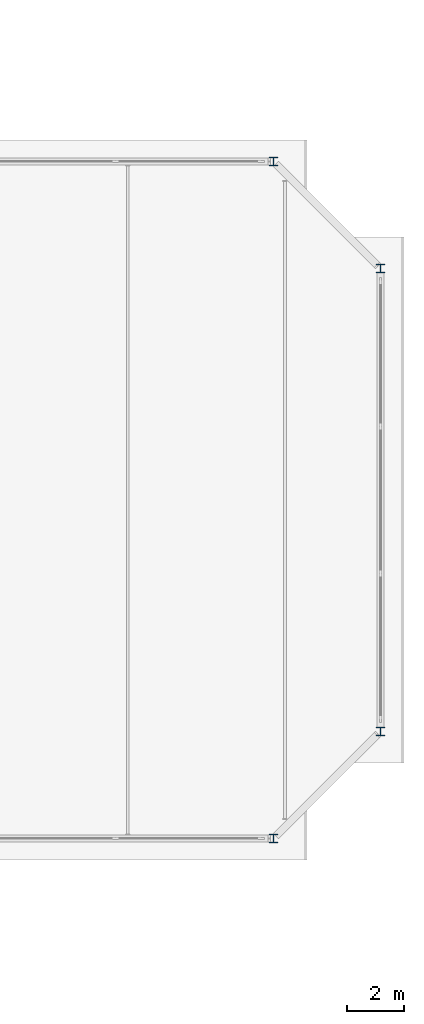
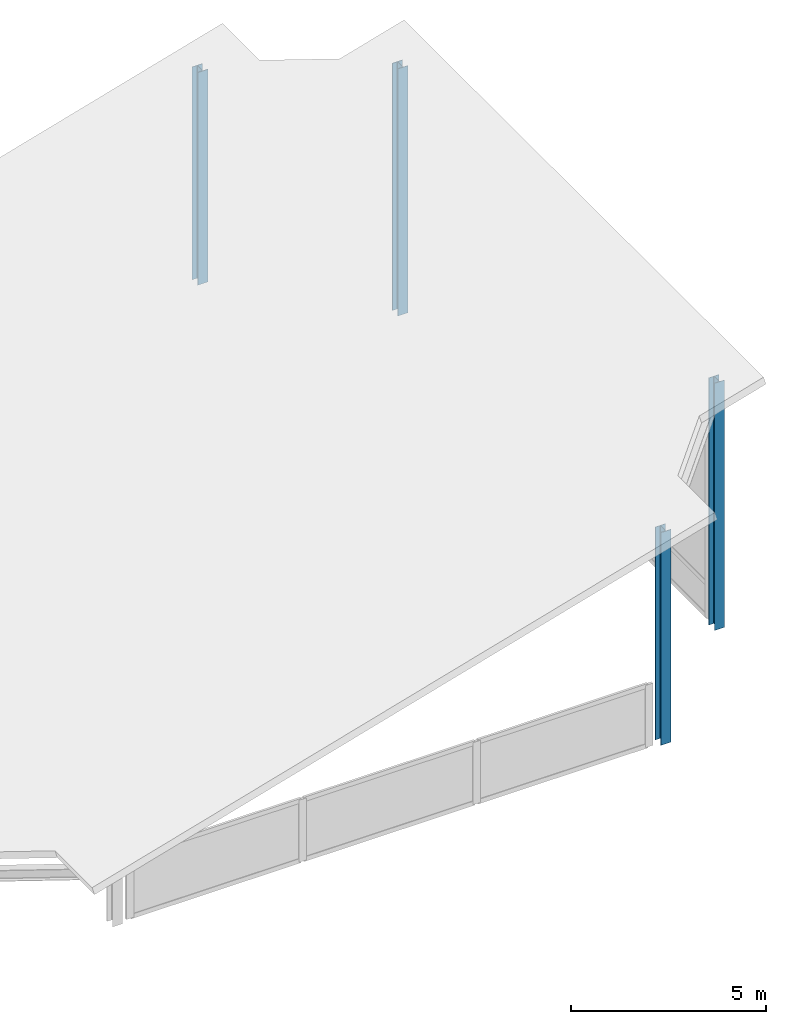
# One storey, part 4 of 28: 4 columns.
"""IFC4 building model written with IfcOpenShell, lengths in metres."""

import ifcopenshell
import ifcopenshell.guid

model = None  # the IFC model being written
_history = None  # IfcOwnerHistory: only IFC2X3 demands one
_inside = {}  # id of a spatial element -> (the spatial element, [elements in it])
_under = {}  # id of a project, library or spatial element -> (it, [spatial elements below it])
_declared = {}  # id of a project -> (the project, [libraries it declares])
_typed = {}  # id of a type object -> (the type object, [elements of that type])
_made_of = {}  # id of a material, layer set ... -> (it, [elements and type objects made of it])


def new_model(schema):
    """Start an empty IFC model of exactly this schema.

    Asked for "IFC4X3", IfcOpenShell would pick the latest addendum, in which some entities
    have other attributes; the version numbers below select the first issue.
    IFC2X3 requires an IfcOwnerHistory on every rooted entity: one is made here for all.
    """
    global model, _history
    if schema == "IFC4X3":
        model = ifcopenshell.file(schema_version=(4, 3, 0, 0))
    else:
        model = ifcopenshell.file(schema=schema)
    _inside.clear()
    _under.clear()
    _declared.clear()
    _typed.clear()
    _made_of.clear()
    _history = None
    if model.schema == "IFC2X3":
        org = make("IfcOrganization", Name="unknown")
        user = make(
            "IfcPersonAndOrganization",
            ThePerson=make("IfcPerson", FamilyName="unknown"),
            TheOrganization=org,
        )
        app = make(
            "IfcApplication",
            ApplicationDeveloper=org,
            Version="unknown",
            ApplicationFullName="unknown",
            ApplicationIdentifier="unknown",
        )
        _history = make(
            "IfcOwnerHistory",
            OwningUser=user,
            OwningApplication=app,
            ChangeAction="ADDED",
            CreationDate=0,
        )
    return model


def make(cls, **values):
    """One entity of the class cls with the attributes given. An attribute that is None is left unset."""
    return model.create_entity(
        cls, **{name: value for name, value in values.items() if value is not None}
    )


def rooted(cls, **values):
    """An entity with a GlobalId (a new one), such as an element, a storey or a relation."""
    return make(cls, GlobalId=ifcopenshell.guid.new(), OwnerHistory=_history, **values)


def si_unit(unit_type, name, prefix=None):
    """IfcSIUnit, for example si_unit("LENGTHUNIT", "METRE", prefix="MILLI")."""
    return make("IfcSIUnit", UnitType=unit_type, Prefix=prefix, Name=name)


def assignment(units):
    """IfcUnitAssignment: the units of a project."""
    return None if units is None else make("IfcUnitAssignment", Units=units)


def point(xyz):
    """IfcCartesianPoint."""
    return None if xyz is None else make("IfcCartesianPoint", Coordinates=xyz)


def direction(xyz):
    """IfcDirection."""
    return None if xyz is None else make("IfcDirection", DirectionRatios=xyz)


def frame(location, z_axis=None, x_axis=None):
    """IfcAxis2Placement3D, a coordinate frame: its origin and axes. An axis left out is left unset."""
    return make(
        "IfcAxis2Placement3D",
        Location=point(location),
        Axis=direction(z_axis),
        RefDirection=direction(x_axis),
    )


def frame_2d(location, x_axis=None):
    """IfcAxis2Placement2D, a coordinate frame in the plane: its origin and x axis."""
    return make(
        "IfcAxis2Placement2D", Location=point(location), RefDirection=direction(x_axis)
    )


def origin():
    """The frame at (0, 0, 0) with its axes left unset."""
    return frame((0.0, 0.0, 0.0))


def origin_2d():
    """The frame at (0, 0) in the plane with its x axis left unset."""
    return frame_2d((0.0, 0.0))


def place(relative_to, where):
    """IfcLocalPlacement: puts the frame where relative to a parent placement (None: the world)."""
    return make(
        "IfcLocalPlacement", PlacementRelTo=relative_to, RelativePlacement=where
    )


def context(
    kind, dimensions, precision=None, world=None, true_north=None, identifier=None
):
    """IfcGeometricRepresentationContext, for example the 3D "Model" context."""
    return make(
        "IfcGeometricRepresentationContext",
        ContextIdentifier=identifier,
        ContextType=kind,
        CoordinateSpaceDimension=dimensions,
        Precision=precision,
        WorldCoordinateSystem=world,
        TrueNorth=true_north,
    )


def subcontext(parent, identifier, kind, view, scale=None):
    """IfcGeometricRepresentationSubContext, for example "Body" below "Model"."""
    return make(
        "IfcGeometricRepresentationSubContext",
        ContextIdentifier=identifier,
        ContextType=kind,
        ParentContext=parent,
        TargetScale=scale,
        TargetView=view,
    )


def project(units=None, contexts=None):
    """IfcProject with its units and contexts."""
    return rooted(
        "IfcProject",
        Name="project",
        RepresentationContexts=contexts,
        UnitsInContext=assignment(units),
    )


def spatial(cls, under=None, at=None, **own):
    """A site, building, storey or space (cls), placed at a placement, below another one or the project."""
    s = rooted(cls, ObjectPlacement=at, **own)
    if under is not None:
        _under.setdefault(under.id(), (under, []))[1].append(s)
    return s


def profile(cls, at=None, kind="AREA", **sizes):
    """A parametric profile (cls). Its sizes go by their IFC names, for example OverallWidth=200.0."""
    return make(cls, ProfileType=kind, Position=at, **sizes)


def i_section(**sizes):
    """IfcIShapeProfileDef."""
    return profile("IfcIShapeProfileDef", **sizes)


def extrude(swept, where, along, depth):
    """IfcExtrudedAreaSolid: the profile swept, set in the frame where, extruded along a direction by depth."""
    return make(
        "IfcExtrudedAreaSolid",
        SweptArea=swept,
        Position=where,
        ExtrudedDirection=direction(along),
        Depth=depth,
    )


def shape(context_of_items, identifier, shape_type, items):
    """IfcShapeRepresentation: the items that make up one representation, for example the "Body"."""
    return make(
        "IfcShapeRepresentation",
        ContextOfItems=context_of_items,
        RepresentationIdentifier=identifier,
        RepresentationType=shape_type,
        Items=items,
    )


def source(mapping_origin, context_of_items, identifier, shape_type, items):
    """IfcRepresentationMap: a shape defined once, which mapped items show again and again."""
    return make(
        "IfcRepresentationMap",
        MappingOrigin=mapping_origin,
        MappedRepresentation=shape(context_of_items, identifier, shape_type, items),
    )


def transform(
    local_origin,
    x_axis=None,
    y_axis=None,
    z_axis=None,
    scale=None,
    scale2=None,
    scale3=None,
    uniform=True,
):
    """IfcCartesianTransformationOperator3D, or its non-uniform kind. x_axis, y_axis, z_axis: its Axis1, 2, 3."""
    if uniform:
        return make(
            "IfcCartesianTransformationOperator3D",
            Axis1=direction(x_axis),
            Axis2=direction(y_axis),
            LocalOrigin=point(local_origin),
            Scale=scale,
            Axis3=direction(z_axis),
        )
    return make(
        "IfcCartesianTransformationOperator3DnonUniform",
        Axis1=direction(x_axis),
        Axis2=direction(y_axis),
        LocalOrigin=point(local_origin),
        Scale=scale,
        Axis3=direction(z_axis),
        Scale2=scale2,
        Scale3=scale3,
    )


def mapped(mapping_source, mapping_target):
    """IfcMappedItem: shows the shape of a source again, moved by a transform."""
    return make(
        "IfcMappedItem", MappingSource=mapping_source, MappingTarget=mapping_target
    )


def material(Name=None, Category=None):
    """IfcMaterial."""
    return make("IfcMaterial", Name=Name, Category=Category)


def material_profile(
    of_material, cross_section, Name=None, Category=None, Priority=None
):
    """IfcMaterialProfile: a cross section and its material."""
    return make(
        "IfcMaterialProfile",
        Name=Name,
        Material=of_material,
        Profile=cross_section,
        Priority=Priority,
        Category=Category,
    )


def profile_set(profiles, Name=None, composite=None):
    """IfcMaterialProfileSet."""
    return make(
        "IfcMaterialProfileSet",
        Name=Name,
        MaterialProfiles=profiles,
        CompositeProfile=composite,
    )


def made_of(thing, what):
    """Note that an element or type object is made of a material, layer set ...; save() writes the relation."""
    if what is not None:
        _made_of.setdefault(what.id(), (what, []))[1].append(thing)
    return thing


def type_object(cls, material=None, **own):
    """A type object (cls), such as IfcWallType, which elements share."""
    return made_of(rooted(cls, **own), material)


def element(
    cls,
    number,
    at=None,
    inside=None,
    cuts=None,
    type_object=None,
    material=None,
    context=None,
    identifier="Body",
    shape_type=None,
    held_by="IfcProductDefinitionShape",
    body=None,
    shapes=None,
    **own,
):
    """One element of the class cls, such as IfcWall. Its Tag is "e" and its number.

    at: its placement. inside: the storey or other place that contains it. cuts: it is an
    opening in that element (IfcRelVoidsElement). A single representation is given by context,
    identifier, shape_type and body (its items); several are given by shapes. held_by: the class
    of the entity that holds the representations. save() writes the other relations.
    """
    e = rooted(cls, Tag="e%d" % number, ObjectPlacement=at, **own)
    if body is not None:
        shapes = [shape(context, identifier, shape_type, body)]
    if shapes is not None:
        e.Representation = make(held_by, Representations=shapes)
    if inside is not None:
        _inside.setdefault(inside.id(), (inside, []))[1].append(e)
    if cuts is not None:
        rooted(
            "IfcRelVoidsElement", RelatingBuildingElement=cuts, RelatedOpeningElement=e
        )
    if type_object is not None:
        _typed.setdefault(type_object.id(), (type_object, []))[1].append(e)
    return made_of(e, material)


def aggregate(whole, parts):
    """IfcRelAggregates: a whole, such as a stair, and the parts it consists of."""
    return rooted("IfcRelAggregates", RelatingObject=whole, RelatedObjects=parts)


def save(model, path):
    """Write the relations noted so far, then the file.

    IfcRelAggregates (storeys below a building ...), IfcRelContainedInSpatialStructure (elements
    in a storey), IfcRelDefinesByType, IfcRelAssociatesMaterial and IfcRelDeclares: one each for
    every whole, place, type object, material and project.
    """
    for whole, parts in _under.values():
        aggregate(whole, parts)
    for where, things in _inside.values():
        rooted(
            "IfcRelContainedInSpatialStructure",
            RelatedElements=things,
            RelatingStructure=where,
        )
    for kind, things in _typed.values():
        rooted("IfcRelDefinesByType", RelatedObjects=things, RelatingType=kind)
    for what, things in _made_of.values():
        rooted("IfcRelAssociatesMaterial", RelatedObjects=things, RelatingMaterial=what)
    for by, libraries in _declared.values():
        rooted("IfcRelDeclares", RelatingContext=by, RelatedDefinitions=libraries)
    model.write(path)


model = new_model("IFC4")

# Units and contexts
model_context = context("Model", 3, precision=1e-05, world=origin(), true_north=direction((0.0, 1.0)))
body_context = subcontext(model_context, "Body", "Model", "MODEL_VIEW")
ifc_project = project(units=[si_unit("LENGTHUNIT", "METRE"), si_unit("AREAUNIT", "SQUARE_METRE"), si_unit("VOLUMEUNIT", "CUBIC_METRE"), si_unit("PLANEANGLEUNIT", "RADIAN"), si_unit("MASSUNIT", "GRAM", prefix="KILO"), si_unit("THERMODYNAMICTEMPERATUREUNIT", "KELVIN"), si_unit("POWERUNIT", "WATT")], contexts=[model_context])

# Site, building, storey
site_placement = place(None, origin())
site = spatial("IfcSite", under=ifc_project, at=site_placement, CompositionType="ELEMENT")
building_placement = place(site_placement, origin())
building = spatial("IfcBuilding", under=site, at=building_placement, Name="Qiaomeng Ring Towers", CompositionType="ELEMENT")
storey_placement = place(building_placement, frame((0.0, 0.0, 113.25)))
storey = spatial("IfcBuildingStorey", under=building, at=storey_placement, Name="L32", CompositionType="ELEMENT", Elevation=113.25)

# Columns
ifc_material = material(Name="Steel Q355B", Category="steel")
ifc_material_profile = material_profile(ifc_material, i_section(OverallWidth=0.300048828125, OverallDepth=0.300048828125, WebThickness=0.010009765625, FlangeThickness=0.014892578125, FilletRadius=0.01806640625, at=origin_2d()), Name="HW 300x300x10x15")
ifc_profile_set = profile_set([ifc_material_profile], Name="Steel Q355B")
column_type = type_object("IfcColumnType", Name="STR-COL-HW300", PredefinedType="COLUMN", material=ifc_profile_set)
shared_shape_1 = source(origin(), body_context, "Body", "SweptSolid", [
    extrude(i_section(OverallWidth=0.300048828125, OverallDepth=0.300048828125, WebThickness=0.010009765625, FlangeThickness=0.014892578125, FilletRadius=0.01806640625, at=origin_2d()), origin(), (0.0, 0.0, 1.0), 6.6455078125),
])
for number, where, z_axis, x_axis, name in (
    (1, (68.60009765625, 11.14990234375, 0.0), (0.0, 0.0, 1.0), (1.0, 0.0, 0.0), "Companion Crown Column S2"),
    (2, (68.60009765625, 34.85009765625, 0.0), (0.0, 0.0, 1.0), (1.0, 0.0, 0.0), "Companion Crown Column N2"),
):
    element("IfcColumn", number, at=place(storey_placement, frame(where, z_axis=z_axis, x_axis=x_axis)), inside=storey, type_object=column_type, Name=name, PredefinedType="COLUMN", context=body_context, shape_type="MappedRepresentation", body=[
        mapped(shared_shape_1, transform((0.0, 0.0, 0.0), x_axis=(1.0, 0.0, 0.0), y_axis=(0.0, 1.0, 0.0), z_axis=(0.0, 0.0, 1.0), scale=1.0)),
    ])
shared_shape_2 = source(origin(), body_context, "Body", "SweptSolid", [
    extrude(i_section(OverallWidth=0.300048828125, OverallDepth=0.300048828125, WebThickness=0.010009765625, FlangeThickness=0.014892578125, FilletRadius=0.01806640625, at=origin_2d()), origin(), (0.0, 0.0, 1.0), 7.720947265625),
])
for number, where, z_axis, x_axis, name in (
    (3, (72.35009765625, 14.89990234375, 0.0), (0.0, 0.0, 1.0), (1.0, 0.0, 0.0), "Companion Crown Column E1"),
    (4, (72.35009765625, 31.10009765625, 0.0), (0.0, 0.0, 1.0), (1.0, 0.0, 0.0), "Companion Crown Column E2"),
):
    element("IfcColumn", number, at=place(storey_placement, frame(where, z_axis=z_axis, x_axis=x_axis)), inside=storey, type_object=column_type, Name=name, PredefinedType="COLUMN", context=body_context, shape_type="MappedRepresentation", body=[
        mapped(shared_shape_2, transform((0.0, 0.0, 0.0), x_axis=(1.0, 0.0, 0.0), y_axis=(0.0, 1.0, 0.0), z_axis=(0.0, 0.0, 1.0), scale=1.0)),
    ])

save(model, "model.ifc")
